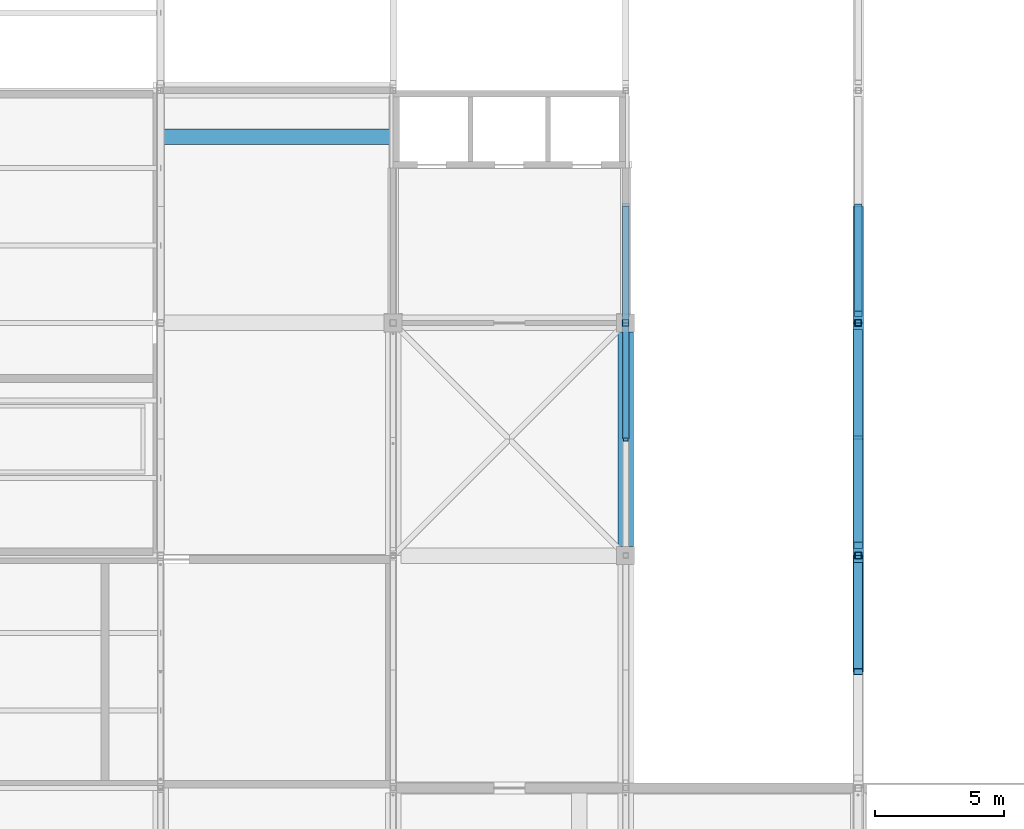
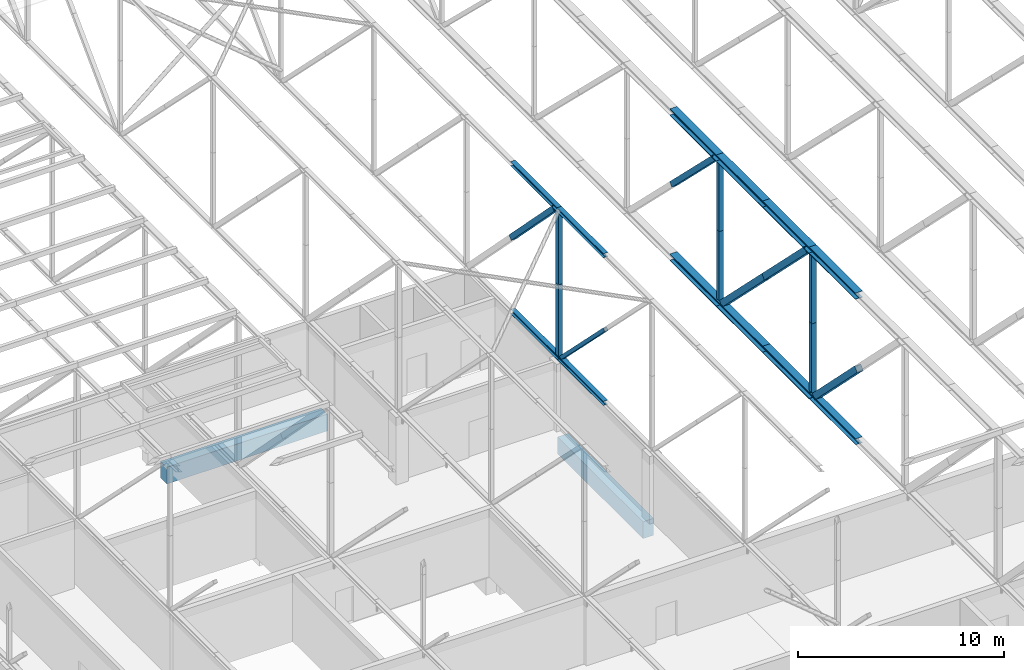
# One storey, part 29 of 646: 24 members, 2 beams.
"""IFC4 building model written with IfcOpenShell, lengths in metres."""

from ifc_helpers import new_model, si_unit, direction, frame, origin, origin_2d, place, context, subcontext, project, spatial, rectangle, hollow_rectangle, i_section, extrude, material, material_profile, profile_set, type_object, element, save


model = new_model("IFC4")

# Units and contexts
model_context = context("Model", 3, precision=1e-05, world=origin(), true_north=direction((0.0, 1.0)))
body_context = subcontext(model_context, "Body", "Model", "MODEL_VIEW")
ifc_project = project(units=[si_unit("LENGTHUNIT", "METRE"), si_unit("AREAUNIT", "SQUARE_METRE"), si_unit("VOLUMEUNIT", "CUBIC_METRE"), si_unit("PLANEANGLEUNIT", "RADIAN"), si_unit("MASSUNIT", "GRAM", prefix="KILO")], contexts=[model_context])

# Site, building, storey
site_placement = place(None, origin())
site = spatial("IfcSite", under=ifc_project, at=site_placement, CompositionType="ELEMENT")
building_placement = place(site_placement, origin())
building = spatial("IfcBuilding", under=site, at=building_placement, Name="Silverbay Arena", CompositionType="ELEMENT")
storey_placement = place(building_placement, frame((0.0, 0.0, 33.5)))
storey = spatial("IfcBuildingStorey", under=building, at=storey_placement, Name="L05", CompositionType="ELEMENT", Elevation=33.5)

# Members
ifc_material_1 = material(Name="Steel S355", Category="steel")
ifc_material_profile_1 = material_profile(ifc_material_1, i_section(OverallWidth=0.37255859375, OverallDepth=0.3681640625, WebThickness=0.014404296875, FlangeThickness=0.023681640625, at=origin_2d()), Name="UC 356x368x177")
ifc_profile_set_1 = profile_set([ifc_material_profile_1], Name="Steel S355")
member_type_1 = type_object("IfcMemberType", Name="Main-span bottom chord UC 356x368x177", PredefinedType="CHORD", material=ifc_profile_set_1)
member_1_placement = place(storey_placement, frame((108.0, 40.5, 4.18408203125), z_axis=(0.0, 1.0, 0.0), x_axis=(-1.0, 0.0, 0.0)))
element("IfcMember", 1, at=member_1_placement, inside=storey, type_object=member_type_1, Name="ROOF TRUSS 13 bottom chord 04b", PredefinedType="CHORD", context=body_context, shape_type="SweptSolid", body=[
    extrude(i_section(OverallWidth=0.37255859375, OverallDepth=0.3681640625, WebThickness=0.014404296875, FlangeThickness=0.023681640625, at=origin_2d()), origin(), (0.0, 0.0, 1.0), 4.5),
])
ifc_material_2 = material(Name="Steel S355", Category="steel")
ifc_material_profile_2 = material_profile(ifc_material_2, i_section(OverallWidth=0.403076171875, OverallDepth=0.406494140625, WebThickness=0.026611328125, FlangeThickness=0.04296875, at=origin_2d()), Name="UC 356x406x340")
ifc_profile_set_2 = profile_set([ifc_material_profile_2], Name="Steel S355")
member_type_2 = type_object("IfcMemberType", Name="Main-span bottom chord UC 356x406x340", PredefinedType="CHORD", material=ifc_profile_set_2)
for number, where, z_axis, x_axis, name in (
    (2, (108.0, 45.0, 4.203125), (0.0, 1.0, 0.0), (-1.0, 0.0, 0.0), "ROOF TRUSS 13 bottom chord 05a"),
    (3, (108.0, 49.5, 4.203125), (0.0, 1.0, 0.0), (-1.0, 0.0, 0.0), "ROOF TRUSS 13 bottom chord 05b"),
    (4, (108.0, 54.0, 4.203125), (0.0, 1.0, 0.0), (-1.0, 0.0, 0.0), "ROOF TRUSS 13 bottom chord 06a"),
):
    element("IfcMember", number, at=place(storey_placement, frame(where, z_axis=z_axis, x_axis=x_axis)), inside=storey, type_object=member_type_2, Name=name, PredefinedType="CHORD", context=body_context, shape_type="SweptSolid", body=[
        extrude(i_section(OverallWidth=0.403076171875, OverallDepth=0.406494140625, WebThickness=0.026611328125, FlangeThickness=0.04296875, at=origin_2d()), origin(), (0.0, 0.0, 1.0), 4.5),
    ])
ifc_material_3 = material(Name="Steel S355", Category="steel")
ifc_material_profile_3 = material_profile(ifc_material_3, i_section(OverallWidth=0.39892578125, OverallDepth=0.3935546875, WebThickness=0.022705078125, FlangeThickness=0.03662109375, at=origin_2d()), Name="UC 356x406x287")
ifc_profile_set_3 = profile_set([ifc_material_profile_3], Name="Steel S355")
member_type_3 = type_object("IfcMemberType", Name="Main-span top chord UC 356x406x287", PredefinedType="CHORD", material=ifc_profile_set_3)
member_2_placement = place(storey_placement, frame((108.0, 40.5, 12.80322265625), z_axis=(0.0, 1.0, 0.0), x_axis=(-1.0, 0.0, 0.0)))
element("IfcMember", 5, at=member_2_placement, inside=storey, type_object=member_type_3, Name="ROOF TRUSS 13 top chord 04b", PredefinedType="CHORD", context=body_context, shape_type="SweptSolid", body=[
    extrude(i_section(OverallWidth=0.39892578125, OverallDepth=0.3935546875, WebThickness=0.022705078125, FlangeThickness=0.03662109375, at=origin_2d()), origin(), (0.0, 0.0, 1.0), 4.5),
])
ifc_material_4 = material(Name="Steel S355", Category="steel")
ifc_material_profile_4 = material_profile(ifc_material_4, i_section(OverallWidth=0.403076171875, OverallDepth=0.406494140625, WebThickness=0.026611328125, FlangeThickness=0.04296875, at=origin_2d()), Name="UC 356x406x340")
ifc_profile_set_4 = profile_set([ifc_material_profile_4], Name="Steel S355")
member_type_4 = type_object("IfcMemberType", Name="Main-span top chord UC 356x406x340", PredefinedType="CHORD", material=ifc_profile_set_4)
for number, where, z_axis, x_axis, name in (
    (6, (108.0, 45.0, 12.796875), (0.0, 1.0, 0.0), (-1.0, 0.0, 0.0), "ROOF TRUSS 13 top chord 05a"),
    (7, (108.0, 49.5, 12.796875), (0.0, 1.0, 0.0), (-1.0, 0.0, 0.0), "ROOF TRUSS 13 top chord 05b"),
    (8, (108.0, 54.0, 12.796875), (0.0, 1.0, 0.0), (-1.0, 0.0, 0.0), "ROOF TRUSS 13 top chord 06a"),
):
    element("IfcMember", number, at=place(storey_placement, frame(where, z_axis=z_axis, x_axis=x_axis)), inside=storey, type_object=member_type_4, Name=name, PredefinedType="CHORD", context=body_context, shape_type="SweptSolid", body=[
        extrude(i_section(OverallWidth=0.403076171875, OverallDepth=0.406494140625, WebThickness=0.026611328125, FlangeThickness=0.04296875, at=origin_2d()), origin(), (0.0, 0.0, 1.0), 4.5),
    ])
ifc_material_5 = material(Name="Steel S355", Category="steel")
ifc_material_profile_5 = material_profile(ifc_material_5, hollow_rectangle(XDim=0.300048828125, YDim=0.300048828125, WallThickness=0.012451171875, at=origin_2d()), Name="SHS 300x300x12.5")
ifc_profile_set_5 = profile_set([ifc_material_profile_5], Name="Steel S355")
member_type_5 = type_object("IfcMemberType", Name="Main-span truss diagonal SHS 300x300x12.5", PredefinedType="BRACE", material=ifc_profile_set_5)
member_3_placement = place(storey_placement, frame((108.0, 54.347900390625, 12.593505859375), z_axis=(0.0, 0.712752446816, -0.701415675301), x_axis=(-1.0, 0.0, 0.0)))
element("IfcMember", 9, at=member_3_placement, inside=storey, type_object=member_type_5, Name="ROOF TRUSS 13 diagonal 06a", PredefinedType="BRACE", context=body_context, shape_type="SweptSolid", body=[
    extrude(hollow_rectangle(XDim=0.300048828125, YDim=0.300048828125, WallThickness=0.012451171875, at=origin_2d()), origin(), (0.0, 0.0, 1.0), 5.836181640625),
])
ifc_material_6 = material(Name="Steel S355", Category="steel")
ifc_material_profile_6 = material_profile(ifc_material_6, hollow_rectangle(XDim=0.35009765625, YDim=0.35009765625, WallThickness=0.012451171875, at=origin_2d()), Name="SHS 350x350x12.5")
ifc_profile_set_6 = profile_set([ifc_material_profile_6], Name="Steel S355")
member_type_6 = type_object("IfcMemberType", Name="Main-span truss diagonal SHS 350x350x12.5", PredefinedType="BRACE", material=ifc_profile_set_6)
for number, where, z_axis, x_axis, name in (
    (10, (108.0, 45.39013671875, 12.593505859375), (0.0, 0.708724844097, -0.705485007182), (-1.0, 0.0, 0.0), "ROOF TRUSS 13 diagonal 05a"),
    (11, (108.0, 49.50244140625, 8.5), (0.0, 0.708745784671, -0.705463969818), (-1.0, 0.0, 0.0), "ROOF TRUSS 13 diagonal 05b"),
):
    element("IfcMember", number, at=place(storey_placement, frame(where, z_axis=z_axis, x_axis=x_axis)), inside=storey, type_object=member_type_6, Name=name, PredefinedType="BRACE", context=body_context, shape_type="SweptSolid", body=[
        extrude(hollow_rectangle(XDim=0.35009765625, YDim=0.35009765625, WallThickness=0.012451171875, at=origin_2d()), origin(), (0.0, 0.0, 1.0), 5.802490234375),
    ])
ifc_material_7 = material(Name="Steel S355", Category="steel")
ifc_material_profile_7 = material_profile(ifc_material_7, hollow_rectangle(XDim=0.35009765625, YDim=0.35009765625, WallThickness=0.01416015625, at=origin_2d()), Name="SHS 350x350x14.2")
ifc_profile_set_7 = profile_set([ifc_material_profile_7], Name="Steel S355")
member_type_7 = type_object("IfcMemberType", Name="Main-span truss diagonal SHS 350x350x14.2", PredefinedType="BRACE", material=ifc_profile_set_7)
member_4_placement = place(storey_placement, frame((108.0, 40.5, 8.4873046875), z_axis=(0.0, 0.706393232016, -0.707819611033), x_axis=(-1.0, 0.0, 0.0)))
element("IfcMember", 12, at=member_4_placement, inside=storey, type_object=member_type_7, Name="ROOF TRUSS 13 diagonal 04b", PredefinedType="BRACE", context=body_context, shape_type="SweptSolid", body=[
    extrude(hollow_rectangle(XDim=0.35009765625, YDim=0.35009765625, WallThickness=0.01416015625, at=origin_2d()), origin(), (0.0, 0.0, 1.0), 5.819580078125),
])
ifc_material_8 = material(Name="Steel S355", Category="steel")
ifc_material_profile_8 = material_profile(ifc_material_8, hollow_rectangle(XDim=0.25, YDim=0.25, WallThickness=0.010009765625, at=origin_2d()), Name="SHS 250x250x10")
ifc_profile_set_8 = profile_set([ifc_material_profile_8], Name="Steel S355")
member_type_8 = type_object("IfcMemberType", Name="Main-span truss vertical SHS 250x250x10", PredefinedType="STRUT", material=ifc_profile_set_8)
for number, where, z_axis, x_axis, name in (
    (13, (108.0, 54.0, 4.406494140625), (0.0, 0.0, 1.0), (1.0, 0.0, 0.0), "ROOF TRUSS 13 vertical 06a"),
    (14, (108.0, 54.0, 8.5), (0.0, 0.0, 1.0), (1.0, 0.0, 0.0), "ROOF TRUSS 13 vertical 06b"),
):
    element("IfcMember", number, at=place(storey_placement, frame(where, z_axis=z_axis, x_axis=x_axis)), inside=storey, type_object=member_type_8, Name=name, PredefinedType="STRUT", context=body_context, shape_type="SweptSolid", body=[
        extrude(hollow_rectangle(XDim=0.25, YDim=0.25, WallThickness=0.010009765625, at=origin_2d()), origin(), (0.0, 0.0, 1.0), 4.093505859375),
    ])
ifc_material_9 = material(Name="Steel S355", Category="steel")
ifc_material_profile_9 = material_profile(ifc_material_9, hollow_rectangle(XDim=0.260009765625, YDim=0.260009765625, WallThickness=0.010009765625, at=origin_2d()), Name="SHS 260x260x10")
ifc_profile_set_9 = profile_set([ifc_material_profile_9], Name="Steel S355")
member_type_9 = type_object("IfcMemberType", Name="Main-span truss vertical SHS 260x260x10", PredefinedType="STRUT", material=ifc_profile_set_9)
for number, where, z_axis, x_axis, name in (
    (15, (108.0, 45.0, 4.406494140625), (0.0, 0.0, 1.0), (1.0, 0.0, 0.0), "ROOF TRUSS 13 vertical 05a"),
    (16, (108.0, 45.0, 8.5), (0.0, 0.0, 1.0), (1.0, 0.0, 0.0), "ROOF TRUSS 13 vertical 05b"),
):
    element("IfcMember", number, at=place(storey_placement, frame(where, z_axis=z_axis, x_axis=x_axis)), inside=storey, type_object=member_type_9, Name=name, PredefinedType="STRUT", context=body_context, shape_type="SweptSolid", body=[
        extrude(hollow_rectangle(XDim=0.260009765625, YDim=0.260009765625, WallThickness=0.010009765625, at=origin_2d()), origin(), (0.0, 0.0, 1.0), 4.093505859375),
    ])
ifc_material_10 = material(Name="Steel S355", Category="steel")
ifc_material_profile_10 = material_profile(ifc_material_10, i_section(OverallWidth=0.254638671875, OverallDepth=0.254150390625, WebThickness=0.008544921875, FlangeThickness=0.01416015625, at=origin_2d()), Name="UC 254x254x73")
ifc_profile_set_10 = profile_set([ifc_material_profile_10], Name="Steel S355")
member_type_10 = type_object("IfcMemberType", Name="Medium-span bottom chord UC 254x254x73", PredefinedType="CHORD", material=ifc_profile_set_10)
for number, where, z_axis, x_axis, name in (
    (17, (99.0, 49.5, 4.126953125), (0.0, 1.0, 0.0), (-1.0, 0.0, 0.0), "ROOF TRUSS 12 bottom chord 05b"),
    (18, (99.0, 54.0, 4.126953125), (0.0, 1.0, 0.0), (-1.0, 0.0, 0.0), "ROOF TRUSS 12 bottom chord 06a"),
):
    element("IfcMember", number, at=place(storey_placement, frame(where, z_axis=z_axis, x_axis=x_axis)), inside=storey, type_object=member_type_10, Name=name, PredefinedType="CHORD", context=body_context, shape_type="SweptSolid", body=[
        extrude(i_section(OverallWidth=0.254638671875, OverallDepth=0.254150390625, WebThickness=0.008544921875, FlangeThickness=0.01416015625, at=origin_2d()), origin(), (0.0, 0.0, 1.0), 4.5),
    ])
ifc_material_11 = material(Name="Steel S355", Category="steel")
ifc_material_profile_11 = material_profile(ifc_material_11, i_section(OverallWidth=0.254638671875, OverallDepth=0.254150390625, WebThickness=0.008544921875, FlangeThickness=0.01416015625, at=origin_2d()), Name="UC 254x254x73")
ifc_profile_set_11 = profile_set([ifc_material_profile_11], Name="Steel S355")
member_type_11 = type_object("IfcMemberType", Name="Medium-span top chord UC 254x254x73", PredefinedType="CHORD", material=ifc_profile_set_11)
for number, where, z_axis, x_axis, name in (
    (19, (99.0, 49.5, 12.873046875), (0.0, 1.0, 0.0), (-1.0, 0.0, 0.0), "ROOF TRUSS 12 top chord 05b"),
    (20, (99.0, 54.0, 12.873046875), (0.0, 1.0, 0.0), (-1.0, 0.0, 0.0), "ROOF TRUSS 12 top chord 06a"),
):
    element("IfcMember", number, at=place(storey_placement, frame(where, z_axis=z_axis, x_axis=x_axis)), inside=storey, type_object=member_type_11, Name=name, PredefinedType="CHORD", context=body_context, shape_type="SweptSolid", body=[
        extrude(i_section(OverallWidth=0.254638671875, OverallDepth=0.254150390625, WebThickness=0.008544921875, FlangeThickness=0.01416015625, at=origin_2d()), origin(), (0.0, 0.0, 1.0), 4.5),
    ])
ifc_material_12 = material(Name="Steel S355", Category="steel")
ifc_material_profile_12 = material_profile(ifc_material_12, hollow_rectangle(XDim=0.199951171875, YDim=0.199951171875, WallThickness=0.008056640625, at=origin_2d()), Name="SHS 200x200x8")
ifc_profile_set_12 = profile_set([ifc_material_profile_12], Name="Steel S355")
member_type_12 = type_object("IfcMemberType", Name="Medium-span truss diagonal SHS 200x200x8", PredefinedType="BRACE", material=ifc_profile_set_12)
member_5_placement = place(storey_placement, frame((99.0, 49.487548828125, 8.5), z_axis=(0.0, 0.7067609232, -0.707452470091), x_axis=(-1.0, 0.0, 0.0)))
element("IfcMember", 21, at=member_5_placement, inside=storey, type_object=member_type_12, Name="ROOF TRUSS 12 diagonal 05b", PredefinedType="BRACE", context=body_context, shape_type="SweptSolid", body=[
    extrude(hollow_rectangle(XDim=0.199951171875, YDim=0.199951171875, WallThickness=0.008056640625, at=origin_2d()), origin(), (0.0, 0.0, 1.0), 6.001708984375),
])
ifc_material_13 = material(Name="Steel S355", Category="steel")
ifc_material_profile_13 = material_profile(ifc_material_13, hollow_rectangle(XDim=0.300048828125, YDim=0.300048828125, WallThickness=0.012451171875, at=origin_2d()), Name="SHS 300x300x12.5")
ifc_profile_set_13 = profile_set([ifc_material_profile_13], Name="Steel S355")
member_type_13 = type_object("IfcMemberType", Name="Medium-span truss diagonal SHS 300x300x12.5", PredefinedType="BRACE", material=ifc_profile_set_13)
member_6_placement = place(storey_placement, frame((99.0, 54.343505859375, 12.745849609375), z_axis=(0.0, 0.700196997117, -0.713949693766), x_axis=(-1.0, 0.0, 0.0)))
element("IfcMember", 22, at=member_6_placement, inside=storey, type_object=member_type_13, Name="ROOF TRUSS 12 diagonal 06a", PredefinedType="BRACE", context=body_context, shape_type="SweptSolid", body=[
    extrude(hollow_rectangle(XDim=0.300048828125, YDim=0.300048828125, WallThickness=0.012451171875, at=origin_2d()), origin(), (0.0, 0.0, 1.0), 5.947021484375),
])
ifc_material_14 = material(Name="Steel S355", Category="steel")
ifc_material_profile_14 = material_profile(ifc_material_14, hollow_rectangle(XDim=0.25, YDim=0.25, WallThickness=0.010009765625, at=origin_2d()), Name="SHS 250x250x10")
ifc_profile_set_14 = profile_set([ifc_material_profile_14], Name="Steel S355")
member_type_14 = type_object("IfcMemberType", Name="Medium-span truss vertical SHS 250x250x10", PredefinedType="STRUT", material=ifc_profile_set_14)
for number, where, z_axis, x_axis, name in (
    (23, (99.0, 54.0, 4.254150390625), (0.0, 0.0, 1.0), (1.0, 0.0, 0.0), "ROOF TRUSS 12 vertical 06a"),
    (24, (99.0, 54.0, 8.5), (0.0, 0.0, 1.0), (1.0, 0.0, 0.0), "ROOF TRUSS 12 vertical 06b"),
):
    element("IfcMember", number, at=place(storey_placement, frame(where, z_axis=z_axis, x_axis=x_axis)), inside=storey, type_object=member_type_14, Name=name, PredefinedType="STRUT", context=body_context, shape_type="SweptSolid", body=[
        extrude(hollow_rectangle(XDim=0.25, YDim=0.25, WallThickness=0.010009765625, at=origin_2d()), origin(), (0.0, 0.0, 1.0), 4.245849609375),
    ])

# Beams
ifc_material_15 = material(Name="Concrete Grade C45", Category="concrete")
ifc_material_profile_15 = material_profile(ifc_material_15, rectangle(XDim=0.60009765625, YDim=1.0, at=origin_2d()), Name="RC 600x1000")
ifc_profile_set_15 = profile_set([ifc_material_profile_15], Name="Concrete Grade C45")
beam_type = type_object("IfcBeamType", Name="RC beam 600x1000", PredefinedType="BEAM", material=ifc_profile_set_15)
beam_1_placement = place(storey_placement, frame((81.0, 61.199951171875, -0.800048828125), z_axis=(1.0, 0.0, 0.0), x_axis=(0.0, 1.0, 0.0)))
element("IfcBeam", 25, at=beam_1_placement, inside=storey, type_object=beam_type, Name="Floor beam L05 026", PredefinedType="BEAM", context=body_context, shape_type="SweptSolid", body=[
    extrude(rectangle(XDim=0.60009765625, YDim=1.0, at=origin_2d()), origin(), (0.0, 0.0, 1.0), 9.0),
])
beam_2_placement = place(storey_placement, frame((99.0, 45.35009765625, -0.800048828125), z_axis=(0.0, 1.0, 0.0), x_axis=(-1.0, 0.0, 0.0)))
element("IfcBeam", 26, at=beam_2_placement, inside=storey, type_object=beam_type, Name="Floor beam L05 099", PredefinedType="BEAM", context=body_context, shape_type="SweptSolid", body=[
    extrude(rectangle(XDim=0.60009765625, YDim=1.0, at=origin_2d()), origin(), (0.0, 0.0, 1.0), 8.2998046875),
])

save(model, "model.ifc")
